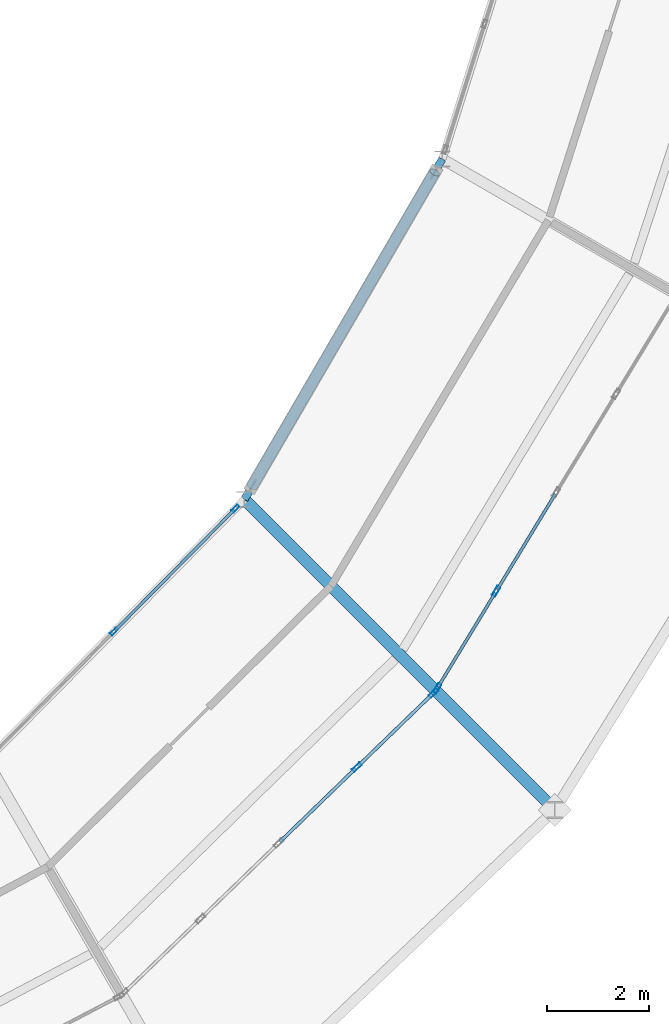
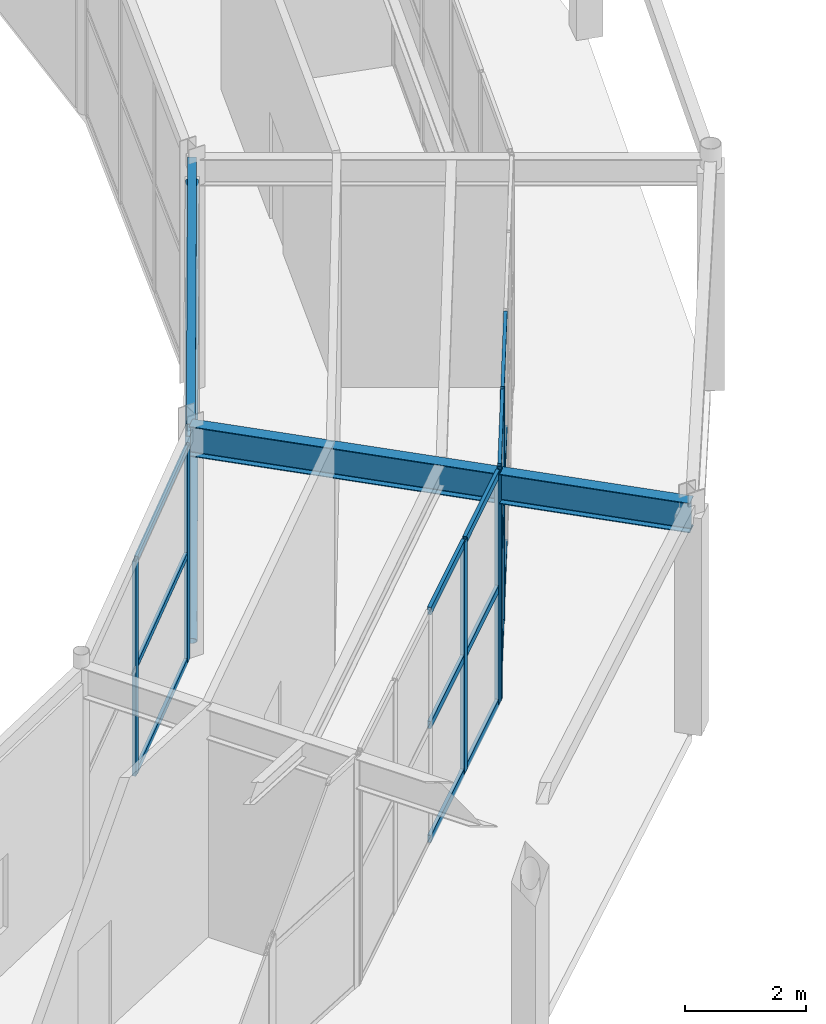
# One storey, part 54 of 144: 22 members, 2 beams, 3 elements without a shape of their own.
"""IFC4 building model written with IfcOpenShell, lengths in metres."""

import ifcopenshell
import ifcopenshell.guid

model = None  # the IFC model being written
_history = None  # IfcOwnerHistory: only IFC2X3 demands one
_inside = {}  # id of a spatial element -> (the spatial element, [elements in it])
_under = {}  # id of a project, library or spatial element -> (it, [spatial elements below it])
_declared = {}  # id of a project -> (the project, [libraries it declares])
_typed = {}  # id of a type object -> (the type object, [elements of that type])
_made_of = {}  # id of a material, layer set ... -> (it, [elements and type objects made of it])


def new_model(schema):
    """Start an empty IFC model of exactly this schema.

    Asked for "IFC4X3", IfcOpenShell would pick the latest addendum, in which some entities
    have other attributes; the version numbers below select the first issue.
    IFC2X3 requires an IfcOwnerHistory on every rooted entity: one is made here for all.
    """
    global model, _history
    if schema == "IFC4X3":
        model = ifcopenshell.file(schema_version=(4, 3, 0, 0))
    else:
        model = ifcopenshell.file(schema=schema)
    _inside.clear()
    _under.clear()
    _declared.clear()
    _typed.clear()
    _made_of.clear()
    _history = None
    if model.schema == "IFC2X3":
        org = make("IfcOrganization", Name="unknown")
        user = make(
            "IfcPersonAndOrganization",
            ThePerson=make("IfcPerson", FamilyName="unknown"),
            TheOrganization=org,
        )
        app = make(
            "IfcApplication",
            ApplicationDeveloper=org,
            Version="unknown",
            ApplicationFullName="unknown",
            ApplicationIdentifier="unknown",
        )
        _history = make(
            "IfcOwnerHistory",
            OwningUser=user,
            OwningApplication=app,
            ChangeAction="ADDED",
            CreationDate=0,
        )
    return model


def make(cls, **values):
    """One entity of the class cls with the attributes given. An attribute that is None is left unset."""
    return model.create_entity(
        cls, **{name: value for name, value in values.items() if value is not None}
    )


def rooted(cls, **values):
    """An entity with a GlobalId (a new one), such as an element, a storey or a relation."""
    return make(cls, GlobalId=ifcopenshell.guid.new(), OwnerHistory=_history, **values)


def si_unit(unit_type, name, prefix=None):
    """IfcSIUnit, for example si_unit("LENGTHUNIT", "METRE", prefix="MILLI")."""
    return make("IfcSIUnit", UnitType=unit_type, Prefix=prefix, Name=name)


def assignment(units):
    """IfcUnitAssignment: the units of a project."""
    return None if units is None else make("IfcUnitAssignment", Units=units)


def point(xyz):
    """IfcCartesianPoint."""
    return None if xyz is None else make("IfcCartesianPoint", Coordinates=xyz)


def direction(xyz):
    """IfcDirection."""
    return None if xyz is None else make("IfcDirection", DirectionRatios=xyz)


def frame(location, z_axis=None, x_axis=None):
    """IfcAxis2Placement3D, a coordinate frame: its origin and axes. An axis left out is left unset."""
    return make(
        "IfcAxis2Placement3D",
        Location=point(location),
        Axis=direction(z_axis),
        RefDirection=direction(x_axis),
    )


def frame_2d(location, x_axis=None):
    """IfcAxis2Placement2D, a coordinate frame in the plane: its origin and x axis."""
    return make(
        "IfcAxis2Placement2D", Location=point(location), RefDirection=direction(x_axis)
    )


def origin():
    """The frame at (0, 0, 0) with its axes left unset."""
    return frame((0.0, 0.0, 0.0))


def origin_2d():
    """The frame at (0, 0) in the plane with its x axis left unset."""
    return frame_2d((0.0, 0.0))


def place(relative_to, where):
    """IfcLocalPlacement: puts the frame where relative to a parent placement (None: the world)."""
    return make(
        "IfcLocalPlacement", PlacementRelTo=relative_to, RelativePlacement=where
    )


def context(
    kind, dimensions, precision=None, world=None, true_north=None, identifier=None
):
    """IfcGeometricRepresentationContext, for example the 3D "Model" context."""
    return make(
        "IfcGeometricRepresentationContext",
        ContextIdentifier=identifier,
        ContextType=kind,
        CoordinateSpaceDimension=dimensions,
        Precision=precision,
        WorldCoordinateSystem=world,
        TrueNorth=true_north,
    )


def subcontext(parent, identifier, kind, view, scale=None):
    """IfcGeometricRepresentationSubContext, for example "Body" below "Model"."""
    return make(
        "IfcGeometricRepresentationSubContext",
        ContextIdentifier=identifier,
        ContextType=kind,
        ParentContext=parent,
        TargetScale=scale,
        TargetView=view,
    )


def project(units=None, contexts=None):
    """IfcProject with its units and contexts."""
    return rooted(
        "IfcProject",
        Name="project",
        RepresentationContexts=contexts,
        UnitsInContext=assignment(units),
    )


def spatial(cls, under=None, at=None, **own):
    """A site, building, storey or space (cls), placed at a placement, below another one or the project."""
    s = rooted(cls, ObjectPlacement=at, **own)
    if under is not None:
        _under.setdefault(under.id(), (under, []))[1].append(s)
    return s


def profile(cls, at=None, kind="AREA", **sizes):
    """A parametric profile (cls). Its sizes go by their IFC names, for example OverallWidth=200.0."""
    return make(cls, ProfileType=kind, Position=at, **sizes)


def hollow_rectangle(**sizes):
    """IfcRectangleHollowProfileDef."""
    return profile("IfcRectangleHollowProfileDef", **sizes)


def hollow_circle(**sizes):
    """IfcCircleHollowProfileDef."""
    return profile("IfcCircleHollowProfileDef", **sizes)


def i_section(**sizes):
    """IfcIShapeProfileDef."""
    return profile("IfcIShapeProfileDef", **sizes)


def extrude(swept, where, along, depth):
    """IfcExtrudedAreaSolid: the profile swept, set in the frame where, extruded along a direction by depth."""
    return make(
        "IfcExtrudedAreaSolid",
        SweptArea=swept,
        Position=where,
        ExtrudedDirection=direction(along),
        Depth=depth,
    )


def shape(context_of_items, identifier, shape_type, items):
    """IfcShapeRepresentation: the items that make up one representation, for example the "Body"."""
    return make(
        "IfcShapeRepresentation",
        ContextOfItems=context_of_items,
        RepresentationIdentifier=identifier,
        RepresentationType=shape_type,
        Items=items,
    )


def material(Name=None, Category=None):
    """IfcMaterial."""
    return make("IfcMaterial", Name=Name, Category=Category)


def material_profile(
    of_material, cross_section, Name=None, Category=None, Priority=None
):
    """IfcMaterialProfile: a cross section and its material."""
    return make(
        "IfcMaterialProfile",
        Name=Name,
        Material=of_material,
        Profile=cross_section,
        Priority=Priority,
        Category=Category,
    )


def profile_set(profiles, Name=None, composite=None):
    """IfcMaterialProfileSet."""
    return make(
        "IfcMaterialProfileSet",
        Name=Name,
        MaterialProfiles=profiles,
        CompositeProfile=composite,
    )


def made_of(thing, what):
    """Note that an element or type object is made of a material, layer set ...; save() writes the relation."""
    if what is not None:
        _made_of.setdefault(what.id(), (what, []))[1].append(thing)
    return thing


def type_object(cls, material=None, **own):
    """A type object (cls), such as IfcWallType, which elements share."""
    return made_of(rooted(cls, **own), material)


def element(
    cls,
    number,
    at=None,
    inside=None,
    cuts=None,
    type_object=None,
    material=None,
    context=None,
    identifier="Body",
    shape_type=None,
    held_by="IfcProductDefinitionShape",
    body=None,
    shapes=None,
    **own,
):
    """One element of the class cls, such as IfcWall. Its Tag is "e" and its number.

    at: its placement. inside: the storey or other place that contains it. cuts: it is an
    opening in that element (IfcRelVoidsElement). A single representation is given by context,
    identifier, shape_type and body (its items); several are given by shapes. held_by: the class
    of the entity that holds the representations. save() writes the other relations.
    """
    e = rooted(cls, Tag="e%d" % number, ObjectPlacement=at, **own)
    if body is not None:
        shapes = [shape(context, identifier, shape_type, body)]
    if shapes is not None:
        e.Representation = make(held_by, Representations=shapes)
    if inside is not None:
        _inside.setdefault(inside.id(), (inside, []))[1].append(e)
    if cuts is not None:
        rooted(
            "IfcRelVoidsElement", RelatingBuildingElement=cuts, RelatedOpeningElement=e
        )
    if type_object is not None:
        _typed.setdefault(type_object.id(), (type_object, []))[1].append(e)
    return made_of(e, material)


def aggregate(whole, parts):
    """IfcRelAggregates: a whole, such as a stair, and the parts it consists of."""
    return rooted("IfcRelAggregates", RelatingObject=whole, RelatedObjects=parts)


def save(model, path):
    """Write the relations noted so far, then the file.

    IfcRelAggregates (storeys below a building ...), IfcRelContainedInSpatialStructure (elements
    in a storey), IfcRelDefinesByType, IfcRelAssociatesMaterial and IfcRelDeclares: one each for
    every whole, place, type object, material and project.
    """
    for whole, parts in _under.values():
        aggregate(whole, parts)
    for where, things in _inside.values():
        rooted(
            "IfcRelContainedInSpatialStructure",
            RelatedElements=things,
            RelatingStructure=where,
        )
    for kind, things in _typed.values():
        rooted("IfcRelDefinesByType", RelatedObjects=things, RelatingType=kind)
    for what, things in _made_of.values():
        rooted("IfcRelAssociatesMaterial", RelatedObjects=things, RelatingMaterial=what)
    for by, libraries in _declared.values():
        rooted("IfcRelDeclares", RelatingContext=by, RelatedDefinitions=libraries)
    model.write(path)


model = new_model("IFC4")

# Units and contexts
model_context = context("Model", 3, precision=1e-05, world=origin(), true_north=direction((0.0, 1.0)))
body_context = subcontext(model_context, "Body", "Model", "MODEL_VIEW")
ifc_project = project(units=[si_unit("LENGTHUNIT", "METRE"), si_unit("AREAUNIT", "SQUARE_METRE"), si_unit("VOLUMEUNIT", "CUBIC_METRE"), si_unit("PLANEANGLEUNIT", "RADIAN"), si_unit("MASSUNIT", "GRAM", prefix="KILO")], contexts=[model_context])

# Site, building, storey
site_placement = place(None, origin())
site = spatial("IfcSite", under=ifc_project, at=site_placement, CompositionType="ELEMENT")
building_placement = place(site_placement, origin())
building = spatial("IfcBuilding", under=site, at=building_placement, Name="Karori Crest Natural Sciences Institute", CompositionType="ELEMENT")
storey_placement = place(building_placement, origin())
storey = spatial("IfcBuildingStorey", under=building, at=storey_placement, Name="L00", CompositionType="ELEMENT", Elevation=0.0)

# Beams
ifc_material_1 = material(Name="Hollow structural steel AS/NZS 1163 Grade C350", Category="steel")
ifc_material_profile_1 = material_profile(ifc_material_1, hollow_rectangle(XDim=0.14990234375, YDim=0.25, WallThickness=0.009033203125, at=origin_2d()), Name="RHS250x150x9")
ifc_profile_set_1 = profile_set([ifc_material_profile_1], Name="Hollow structural steel AS/NZS 1163 Grade C350")
beam_type_1 = type_object("IfcBeamType", Name="BT-16", PredefinedType="SPANDREL", material=ifc_profile_set_1)
beam_1_placement = place(storey_placement, frame((83.6533203125, 27.131103515625, 4.489990234375), z_axis=(0.502658410953, 0.864485119536, 0.0), x_axis=(-0.864485119536, 0.502658410953, 0.0)))
element("IfcBeam", 1, at=beam_1_placement, inside=storey, type_object=beam_type_1, Name="Beam B-0171", PredefinedType="SPANDREL", context=body_context, shape_type="SweptSolid", body=[
    extrude(hollow_rectangle(XDim=0.14990234375, YDim=0.25, WallThickness=0.009033203125, at=origin_2d()), origin(), (0.0, 0.0, 1.0), 7.71435546875),
])
ifc_material_2 = material(Name="Structural steel AS/NZS 3679.1 Grade 350", Category="steel")
ifc_material_profile_2 = material_profile(ifc_material_2, i_section(OverallWidth=0.22802734375, OverallDepth=0.60205078125, WebThickness=0.010498046875, FlangeThickness=0.014892578125, FilletRadius=0.013916015625, at=origin_2d()), Name="610UB101")
ifc_profile_set_2 = profile_set([ifc_material_profile_2], Name="Structural steel AS/NZS 3679.1 Grade 350")
beam_type_2 = type_object("IfcBeamType", Name="BT-27", PredefinedType="BEAM", material=ifc_profile_set_2)
beam_2_placement = place(storey_placement, frame((83.6533203125, 27.131103515625, 4.339111328125), z_axis=(0.70712097513, -0.707092586958, 0.0), x_axis=(0.707092586958, 0.70712097513, 0.0)))
element("IfcBeam", 2, at=beam_2_placement, inside=storey, type_object=beam_type_2, Name="Beam B-0172", PredefinedType="BEAM", context=body_context, shape_type="SweptSolid", body=[
    extrude(i_section(OverallWidth=0.22802734375, OverallDepth=0.60205078125, WebThickness=0.010498046875, FlangeThickness=0.014892578125, FilletRadius=0.013916015625, at=origin_2d()), origin(), (0.0, 0.0, 1.0), 8.60009765625),
])

# Curtain wall, members
ifc_material_3 = material(Name="Anodised architectural aluminium 6063-T6", Category="aluminium")
curtain_wall_type_1 = type_object("IfcCurtainWallType", Name="CWT-11", PredefinedType="NOTDEFINED", material=ifc_material_3)
curtain_wall_1_placement = place(storey_placement, origin())
curtain_wall_1 = element("IfcCurtainWall", 3, at=curtain_wall_1_placement, inside=storey, type_object=curtain_wall_type_1, Name="Curtain wall CW-0026", PredefinedType="NOTDEFINED")
ifc_material_profile_3 = material_profile(ifc_material_3, hollow_rectangle(XDim=0.06494140625, YDim=0.159912109375, WallThickness=0.00390625, at=origin_2d()), Name="CWM160x65x4")
ifc_profile_set_3 = profile_set([ifc_material_profile_3], Name="Anodised architectural aluminium 6063-T6")
member_type_1 = type_object("IfcMemberType", Name="CWM-01", PredefinedType="MULLION", material=ifc_profile_set_3)
member_1_placement = place(storey_placement, frame((81.097900390625, 24.54345703125, 0.0), z_axis=(0.0, 0.0, 1.0), x_axis=(-0.71152941525, 0.70265631089, 0.0)))
member_1 = element("IfcMember", 4, at=member_1_placement, type_object=member_type_1, Name="CW-0026 mullion 2", PredefinedType="MULLION", context=body_context, shape_type="SweptSolid", body=[
    extrude(hollow_rectangle(XDim=0.06494140625, YDim=0.159912109375, WallThickness=0.00390625, at=origin_2d()), origin(), (0.0, 0.0, 1.0), 4.35009765625),
])
member_2_placement = place(storey_placement, frame((83.478515625, 26.9541015625, 0.0), z_axis=(0.0, 0.0, 1.0), x_axis=(-0.71152941525, 0.70265631089, 0.0)))
member_2 = element("IfcMember", 5, at=member_2_placement, type_object=member_type_1, Name="CW-0026 mullion 3", PredefinedType="MULLION", context=body_context, shape_type="SweptSolid", body=[
    extrude(hollow_rectangle(XDim=0.06494140625, YDim=0.159912109375, WallThickness=0.00390625, at=origin_2d()), origin(), (0.0, 0.0, 1.0), 4.35009765625),
])

curtain_wall_type_2 = type_object("IfcCurtainWallType", Name="CWT-01", PredefinedType="NOTDEFINED", material=ifc_material_3)
curtain_wall_2_placement = place(storey_placement, origin())
curtain_wall_2 = element("IfcCurtainWall", 6, at=curtain_wall_2_placement, inside=storey, type_object=curtain_wall_type_2, Name="Curtain wall CW-0025", PredefinedType="NOTDEFINED")
ifc_material_profile_4 = material_profile(ifc_material_3, hollow_rectangle(XDim=0.074951171875, YDim=0.199951171875, WallThickness=0.0048828125, at=origin_2d()), Name="CWM200x75x5")
ifc_profile_set_4 = profile_set([ifc_material_profile_4], Name="Anodised architectural aluminium 6063-T6")
member_type_2 = type_object("IfcMemberType", Name="CWM-02", PredefinedType="MULLION", material=ifc_profile_set_4)
member_3_placement = place(storey_placement, frame((87.35986328125, 23.343505859375, 0.0), z_axis=(0.0, 0.0, 1.0), x_axis=(0.695838899401, -0.718197901752, 0.0)))
member_3 = element("IfcMember", 7, at=member_3_placement, type_object=member_type_2, Name="CW-0025 mullion 1", PredefinedType="MULLION", context=body_context, shape_type="SweptSolid", body=[
    extrude(hollow_rectangle(XDim=0.074951171875, YDim=0.199951171875, WallThickness=0.0048828125, at=origin_2d()), origin(), (0.0, 0.0, 1.0), 4.679931640625),
])
member_4_placement = place(storey_placement, frame((85.856201171875, 21.88671875, 0.0), z_axis=(0.0, 0.0, 1.0), x_axis=(0.695838899401, -0.718197901752, 0.0)))
member_4 = element("IfcMember", 8, at=member_4_placement, type_object=member_type_2, Name="CW-0025 mullion 2", PredefinedType="MULLION", context=body_context, shape_type="SweptSolid", body=[
    extrude(hollow_rectangle(XDim=0.074951171875, YDim=0.199951171875, WallThickness=0.0048828125, at=origin_2d()), origin(), (0.0, 0.0, 1.0), 4.679931640625),
])

curtain_wall_type_3 = type_object("IfcCurtainWallType", Name="CWT-02", PredefinedType="NOTDEFINED", material=ifc_material_3)
curtain_wall_3_placement = place(storey_placement, origin())
curtain_wall_3 = element("IfcCurtainWall", 9, at=curtain_wall_3_placement, inside=storey, type_object=curtain_wall_type_3, Name="Curtain wall CW-0027", PredefinedType="NOTDEFINED")
member_5_placement = place(storey_placement, frame((88.586181640625, 25.333740234375, 0.0), z_axis=(0.0, 0.0, 1.0), x_axis=(0.854567337323, -0.519340606905, 0.0)))
member_5 = element("IfcMember", 10, at=member_5_placement, type_object=member_type_2, Name="CW-0027 mullion 4", PredefinedType="MULLION", context=body_context, shape_type="SweptSolid", body=[
    extrude(hollow_rectangle(XDim=0.074951171875, YDim=0.199951171875, WallThickness=0.0048828125, at=origin_2d()), origin(), (0.0, 0.0, 1.0), 4.679931640625),
])
member_6_placement = place(storey_placement, frame((87.430908203125, 23.4326171875, 0.0), z_axis=(0.0, 0.0, 1.0), x_axis=(0.854567337323, -0.519340606905, 0.0)))
member_6 = element("IfcMember", 11, at=member_6_placement, type_object=member_type_2, Name="CW-0027 mullion 5", PredefinedType="MULLION", context=body_context, shape_type="SweptSolid", body=[
    extrude(hollow_rectangle(XDim=0.074951171875, YDim=0.199951171875, WallThickness=0.0048828125, at=origin_2d()), origin(), (0.0, 0.0, 1.0), 4.679931640625),
])

# Member
ifc_material_profile_5 = material_profile(ifc_material_3, hollow_rectangle(XDim=0.06005859375, YDim=0.1201171875, WallThickness=0.00390625, at=origin_2d()), Name="CWT120x60x4")
ifc_profile_set_5 = profile_set([ifc_material_profile_5], Name="Anodised architectural aluminium 6063-T6")
member_type_3 = type_object("IfcMemberType", Name="CWT-TR1", PredefinedType="USERDEFINED", material=ifc_profile_set_5)
member_7_placement = place(storey_placement, frame((81.120849609375, 24.566650390625, 0.030029296875), z_axis=(0.702647532142, 0.711538084416, 0.0), x_axis=(-0.711538084416, 0.702647532142, 0.0)))
member_7 = element("IfcMember", 12, at=member_7_placement, type_object=member_type_3, Name="CW-0026 transom 2.1", ObjectType="TRANSOM", PredefinedType="USERDEFINED", context=body_context, shape_type="SweptSolid", body=[
    extrude(hollow_rectangle(XDim=0.06005859375, YDim=0.1201171875, WallThickness=0.00390625, at=origin_2d()), origin(), (0.0, 0.0, 1.0), 3.32275390625),
])

member_8_placement = place(storey_placement, frame((81.120849609375, 24.566650390625, 2.175048828125), z_axis=(0.702647532142, 0.711538084416, 0.0), x_axis=(-0.711538084416, 0.702647532142, 0.0)))
member_8 = element("IfcMember", 13, at=member_8_placement, type_object=member_type_3, Name="CW-0026 transom 2.2", ObjectType="TRANSOM", PredefinedType="USERDEFINED", context=body_context, shape_type="SweptSolid", body=[
    extrude(hollow_rectangle(XDim=0.06005859375, YDim=0.1201171875, WallThickness=0.00390625, at=origin_2d()), origin(), (0.0, 0.0, 1.0), 3.32275390625),
])

member_9_placement = place(storey_placement, frame((81.120849609375, 24.566650390625, 4.320068359375), z_axis=(0.702647532142, 0.711538084416, 0.0), x_axis=(-0.711538084416, 0.702647532142, 0.0)))
member_9 = element("IfcMember", 14, at=member_9_placement, type_object=member_type_3, Name="CW-0026 transom 2.3", ObjectType="TRANSOM", PredefinedType="USERDEFINED", context=body_context, shape_type="SweptSolid", body=[
    extrude(hollow_rectangle(XDim=0.06005859375, YDim=0.1201171875, WallThickness=0.00390625, at=origin_2d()), origin(), (0.0, 0.0, 1.0), 3.32275390625),
])

aggregate(curtain_wall_1, [member_1, member_2, member_7, member_8, member_9])

member_10_placement = place(storey_placement, frame((89.741455078125, 27.234619140625, 0.030029296875), z_axis=(-0.519330580984, -0.85457343023, 0.0), x_axis=(0.85457343023, -0.519330580984, 0.0)))
member_10 = element("IfcMember", 15, at=member_10_placement, type_object=member_type_3, Name="CW-0027 transom 3.1", ObjectType="TRANSOM", PredefinedType="USERDEFINED", context=body_context, shape_type="SweptSolid", body=[
    extrude(hollow_rectangle(XDim=0.06005859375, YDim=0.1201171875, WallThickness=0.00390625, at=origin_2d()), origin(), (0.0, 0.0, 1.0), 2.18701171875),
])

member_11_placement = place(storey_placement, frame((89.741455078125, 27.234619140625, 2.340087890625), z_axis=(-0.519330580984, -0.85457343023, 0.0), x_axis=(0.85457343023, -0.519330580984, 0.0)))
member_11 = element("IfcMember", 16, at=member_11_placement, type_object=member_type_3, Name="CW-0027 transom 3.2", ObjectType="TRANSOM", PredefinedType="USERDEFINED", context=body_context, shape_type="SweptSolid", body=[
    extrude(hollow_rectangle(XDim=0.06005859375, YDim=0.1201171875, WallThickness=0.00390625, at=origin_2d()), origin(), (0.0, 0.0, 1.0), 2.18701171875),
])

member_12_placement = place(storey_placement, frame((89.741455078125, 27.234619140625, 4.64990234375), z_axis=(-0.519330580984, -0.85457343023, 0.0), x_axis=(0.85457343023, -0.519330580984, 0.0)))
member_12 = element("IfcMember", 17, at=member_12_placement, type_object=member_type_3, Name="CW-0027 transom 3.3", ObjectType="TRANSOM", PredefinedType="USERDEFINED", context=body_context, shape_type="SweptSolid", body=[
    extrude(hollow_rectangle(XDim=0.06005859375, YDim=0.1201171875, WallThickness=0.00390625, at=origin_2d()), origin(), (0.0, 0.0, 1.0), 2.18701171875),
])

member_13_placement = place(storey_placement, frame((88.56689453125, 25.301513671875, 0.030029296875), z_axis=(-0.519381148142, -0.854542698146, 0.0), x_axis=(0.854542698146, -0.519381148142, 0.0)))
member_13 = element("IfcMember", 18, at=member_13_placement, type_object=member_type_3, Name="CW-0027 transom 4.1", ObjectType="TRANSOM", PredefinedType="USERDEFINED", context=body_context, shape_type="SweptSolid", body=[
    extrude(hollow_rectangle(XDim=0.06005859375, YDim=0.1201171875, WallThickness=0.00390625, at=origin_2d()), origin(), (0.0, 0.0, 1.0), 2.149658203125),
])

member_14_placement = place(storey_placement, frame((88.56689453125, 25.301513671875, 2.340087890625), z_axis=(-0.519381148142, -0.854542698146, 0.0), x_axis=(0.854542698146, -0.519381148142, 0.0)))
member_14 = element("IfcMember", 19, at=member_14_placement, type_object=member_type_3, Name="CW-0027 transom 4.2", ObjectType="TRANSOM", PredefinedType="USERDEFINED", context=body_context, shape_type="SweptSolid", body=[
    extrude(hollow_rectangle(XDim=0.06005859375, YDim=0.1201171875, WallThickness=0.00390625, at=origin_2d()), origin(), (0.0, 0.0, 1.0), 2.149658203125),
])

member_15_placement = place(storey_placement, frame((88.56689453125, 25.301513671875, 4.64990234375), z_axis=(-0.519381148142, -0.854542698146, 0.0), x_axis=(0.854542698146, -0.519381148142, 0.0)))
member_15 = element("IfcMember", 20, at=member_15_placement, type_object=member_type_3, Name="CW-0027 transom 4.3", ObjectType="TRANSOM", PredefinedType="USERDEFINED", context=body_context, shape_type="SweptSolid", body=[
    extrude(hollow_rectangle(XDim=0.06005859375, YDim=0.1201171875, WallThickness=0.00390625, at=origin_2d()), origin(), (0.0, 0.0, 1.0), 2.149658203125),
])

aggregate(curtain_wall_3, [member_5, member_6, member_10, member_11, member_12, member_13, member_14, member_15])

ifc_material_profile_6 = material_profile(ifc_material_3, hollow_rectangle(XDim=0.06494140625, YDim=0.14990234375, WallThickness=0.00390625, at=origin_2d()), Name="CWT150x65x4")
ifc_profile_set_6 = profile_set([ifc_material_profile_6], Name="Anodised architectural aluminium 6063-T6")
member_type_4 = type_object("IfcMemberType", Name="CWT-TR2", PredefinedType="USERDEFINED", material=ifc_profile_set_6)
member_16_placement = place(storey_placement, frame((87.332763671875, 23.3173828125, 0.032470703125), z_axis=(-0.718206221639, -0.695830312073, 0.0), x_axis=(0.695830312073, -0.718206221639, 0.0)))
member_16 = element("IfcMember", 21, at=member_16_placement, type_object=member_type_4, Name="CW-0025 transom 1.1", ObjectType="TRANSOM", PredefinedType="USERDEFINED", context=body_context, shape_type="SweptSolid", body=[
    extrude(hollow_rectangle(XDim=0.06494140625, YDim=0.14990234375, WallThickness=0.00390625, at=origin_2d()), origin(), (0.0, 0.0, 1.0), 2.0185546875),
])

member_17_placement = place(storey_placement, frame((87.332763671875, 23.3173828125, 2.340087890625), z_axis=(-0.718206221639, -0.695830312073, 0.0), x_axis=(0.695830312073, -0.718206221639, 0.0)))
member_17 = element("IfcMember", 22, at=member_17_placement, type_object=member_type_4, Name="CW-0025 transom 1.2", ObjectType="TRANSOM", PredefinedType="USERDEFINED", context=body_context, shape_type="SweptSolid", body=[
    extrude(hollow_rectangle(XDim=0.06494140625, YDim=0.14990234375, WallThickness=0.00390625, at=origin_2d()), origin(), (0.0, 0.0, 1.0), 2.0185546875),
])

member_18_placement = place(storey_placement, frame((87.332763671875, 23.3173828125, 4.6474609375), z_axis=(-0.718206221639, -0.695830312073, 0.0), x_axis=(0.695830312073, -0.718206221639, 0.0)))
member_18 = element("IfcMember", 23, at=member_18_placement, type_object=member_type_4, Name="CW-0025 transom 1.3", ObjectType="TRANSOM", PredefinedType="USERDEFINED", context=body_context, shape_type="SweptSolid", body=[
    extrude(hollow_rectangle(XDim=0.06494140625, YDim=0.14990234375, WallThickness=0.00390625, at=origin_2d()), origin(), (0.0, 0.0, 1.0), 2.0185546875),
])

member_19_placement = place(storey_placement, frame((85.8291015625, 21.860595703125, 0.032470703125), z_axis=(-0.718180876669, -0.695856471111, 0.0), x_axis=(0.695856471111, -0.718180876669, 0.0)))
member_19 = element("IfcMember", 24, at=member_19_placement, type_object=member_type_4, Name="CW-0025 transom 2.1", ObjectType="TRANSOM", PredefinedType="USERDEFINED", context=body_context, shape_type="SweptSolid", body=[
    extrude(hollow_rectangle(XDim=0.06494140625, YDim=0.14990234375, WallThickness=0.00390625, at=origin_2d()), origin(), (0.0, 0.0, 1.0), 2.055908203125),
])

member_20_placement = place(storey_placement, frame((85.8291015625, 21.860595703125, 2.340087890625), z_axis=(-0.718180876669, -0.695856471111, 0.0), x_axis=(0.695856471111, -0.718180876669, 0.0)))
member_20 = element("IfcMember", 25, at=member_20_placement, type_object=member_type_4, Name="CW-0025 transom 2.2", ObjectType="TRANSOM", PredefinedType="USERDEFINED", context=body_context, shape_type="SweptSolid", body=[
    extrude(hollow_rectangle(XDim=0.06494140625, YDim=0.14990234375, WallThickness=0.00390625, at=origin_2d()), origin(), (0.0, 0.0, 1.0), 2.055908203125),
])

member_21_placement = place(storey_placement, frame((85.8291015625, 21.860595703125, 4.6474609375), z_axis=(-0.718180876669, -0.695856471111, 0.0), x_axis=(0.695856471111, -0.718180876669, 0.0)))
member_21 = element("IfcMember", 26, at=member_21_placement, type_object=member_type_4, Name="CW-0025 transom 2.3", ObjectType="TRANSOM", PredefinedType="USERDEFINED", context=body_context, shape_type="SweptSolid", body=[
    extrude(hollow_rectangle(XDim=0.06494140625, YDim=0.14990234375, WallThickness=0.00390625, at=origin_2d()), origin(), (0.0, 0.0, 1.0), 2.055908203125),
])

aggregate(curtain_wall_2, [member_3, member_4, member_16, member_17, member_18, member_19, member_20, member_21])

ifc_material_profile_7 = material_profile(ifc_material_1, hollow_circle(Radius=0.109619140625, WallThickness=0.00830078125, at=origin_2d()), Name="CHS219.1x8.2")
ifc_profile_set_7 = profile_set([ifc_material_profile_7], Name="Hollow structural steel AS/NZS 1163 Grade C350")
member_type_5 = type_object("IfcMemberType", Name="MT-02", PredefinedType="BRACE", material=ifc_profile_set_7)
member_22_placement = place(storey_placement, frame((83.80419921875, 27.390380859375, 0.010009765625), z_axis=(0.429091301323, 0.738012430048, 0.520786240432), x_axis=(-0.864499904405, 0.502632982686, 0.0)))
element("IfcMember", 27, at=member_22_placement, inside=storey, type_object=member_type_5, Name="Diagonal Brace M-0008", PredefinedType="BRACE", context=body_context, shape_type="SweptSolid", body=[
    extrude(hollow_circle(Radius=0.109619140625, WallThickness=0.00830078125, at=origin_2d()), origin(), (0.0, 0.0, 1.0), 8.333740234375),
])

save(model, "model.ifc")
